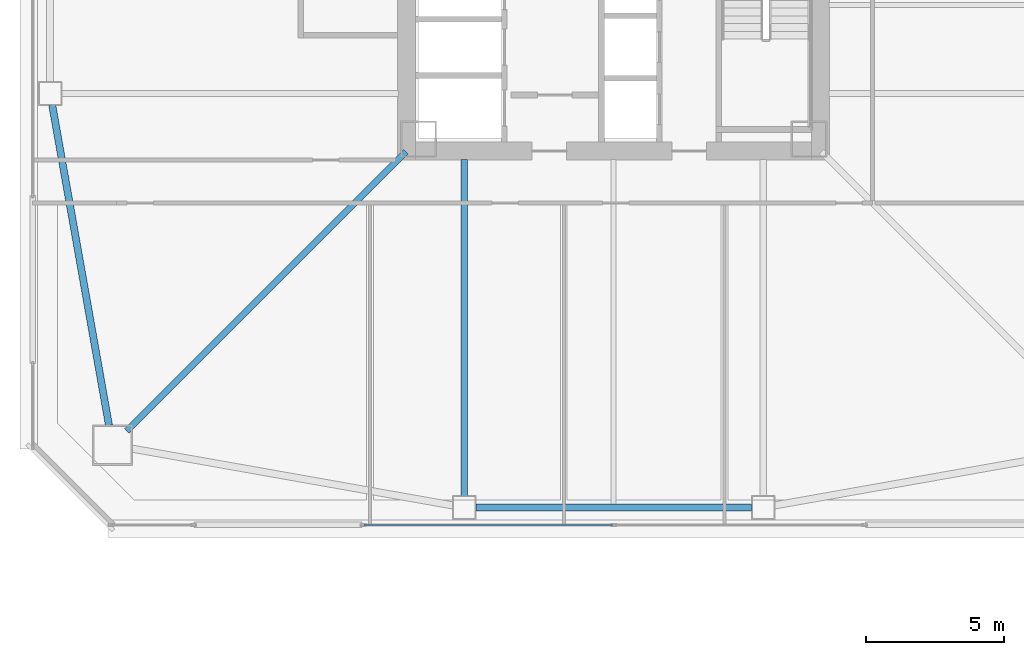
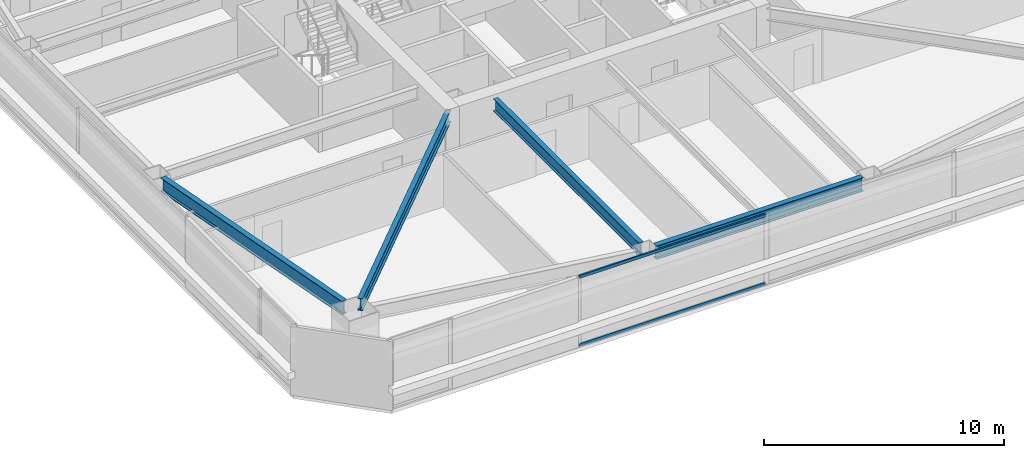
# One storey, part 4 of 47: 4 beams, 2 members, 1 element without a shape of its own.
"""IFC4 building model written with IfcOpenShell, lengths in metres."""

from ifc_helpers import new_model, si_unit, direction, frame, origin, origin_2d, place, context, subcontext, project, spatial, hollow_rectangle, i_section, extrude, material, material_profile, profile_set, type_object, element, aggregate, save


model = new_model("IFC4")

# Units and contexts
model_context = context("Model", 3, precision=1e-05, world=origin(), true_north=direction((0.0, 1.0)))
body_context = subcontext(model_context, "Body", "Model", "MODEL_VIEW")
ifc_project = project(units=[si_unit("LENGTHUNIT", "METRE"), si_unit("AREAUNIT", "SQUARE_METRE"), si_unit("VOLUMEUNIT", "CUBIC_METRE"), si_unit("PLANEANGLEUNIT", "RADIAN"), si_unit("MASSUNIT", "GRAM", prefix="KILO")], contexts=[model_context])

# Site, building, storey
site_placement = place(None, origin())
site = spatial("IfcSite", under=ifc_project, at=site_placement, CompositionType="ELEMENT")
building_placement = place(site_placement, origin())
building = spatial("IfcBuilding", under=site, at=building_placement, Name="Tashvorn Skyway Center", CompositionType="ELEMENT")
storey_placement = place(building_placement, frame((0.0, 0.0, 81.39990234375)))
storey = spatial("IfcBuildingStorey", under=building, at=storey_placement, Name="L21", CompositionType="ELEMENT", Elevation=81.39990234375)

# Beams
ifc_material_1 = material(Name="Steel ASTM A992 Grade 50", Category="steel")
ifc_material_profile_1 = material_profile(ifc_material_1, i_section(OverallWidth=0.22998046875, OverallDepth=0.616943359375, WebThickness=0.01318359375, FlangeThickness=0.022216796875, at=origin_2d()), Name="W24X94")
ifc_profile_set_1 = profile_set([ifc_material_profile_1], Name="Steel ASTM A992 Grade 50")
beam_type_1 = type_object("IfcBeamType", Name="BM-BEAM-W24X94", PredefinedType="BEAM", material=ifc_profile_set_1)
beam_1_placement = place(storey_placement, frame((24.4091796875, 14.4091796875, 3.04150390625), z_axis=(0.707106781187, 0.707106781187, 0.0), x_axis=(-0.707106781187, 0.707106781187, 0.0)))
element("IfcBeam", 1, at=beam_1_placement, inside=storey, type_object=beam_type_1, Name="Tower 1 L21 Primary Floor Girder MC-SW", PredefinedType="BEAM", context=body_context, shape_type="SweptSolid", body=[
    extrude(i_section(OverallWidth=0.22998046875, OverallDepth=0.616943359375, WebThickness=0.01318359375, FlangeThickness=0.022216796875, at=origin_2d()), origin(), (0.0, 0.0, 1.0), 14.261962890625),
])
beam_2_placement = place(storey_placement, frame((36.60009765625, 12.070068359375, 3.04150390625), z_axis=(0.0, 1.0, 0.0), x_axis=(-1.0, 0.0, 0.0)))
element("IfcBeam", 2, at=beam_2_placement, inside=storey, type_object=beam_type_1, Name="Tower 1 L21 Primary Floor Girder FC-S1", PredefinedType="BEAM", context=body_context, shape_type="SweptSolid", body=[
    extrude(i_section(OverallWidth=0.22998046875, OverallDepth=0.616943359375, WebThickness=0.01318359375, FlangeThickness=0.022216796875, at=origin_2d()), origin(), (0.0, 0.0, 1.0), 12.14990234375),
])
ifc_material_profile_2 = material_profile(ifc_material_1, i_section(OverallWidth=0.256103515625, OverallDepth=0.693115234375, WebThickness=0.014404296875, FlangeThickness=0.023681640625, at=origin_2d()), Name="W27X114")
ifc_profile_set_2 = profile_set([ifc_material_profile_2], Name="Steel ASTM A992 Grade 50")
beam_type_2 = type_object("IfcBeamType", Name="BM-SPANDREL-W27X114", PredefinedType="SPANDREL", material=ifc_profile_set_2)
beam_3_placement = place(storey_placement, frame((37.02001953125, 11.64990234375, 3.003662109375), z_axis=(1.0, 0.0, 0.0), x_axis=(0.0, 1.0, 0.0)))
element("IfcBeam", 3, at=beam_3_placement, inside=storey, type_object=beam_type_2, Name="Tower 1 L21 Spandrel Beam 02", PredefinedType="SPANDREL", context=body_context, shape_type="SweptSolid", body=[
    extrude(i_section(OverallWidth=0.256103515625, OverallDepth=0.693115234375, WebThickness=0.014404296875, FlangeThickness=0.023681640625, at=origin_2d()), origin(), (0.0, 0.0, 1.0), 9.9599609375),
])
beam_4_placement = place(storey_placement, frame((21.723388671875, 26.1865234375, 3.003662109375), z_axis=(0.174437966698, -0.98466816531, 0.0), x_axis=(0.98466816531, 0.174437966698, 0.0)))
element("IfcBeam", 4, at=beam_4_placement, inside=storey, type_object=beam_type_2, Name="Tower 1 L21 Spandrel Beam 12", PredefinedType="SPANDREL", context=body_context, shape_type="SweptSolid", body=[
    extrude(i_section(OverallWidth=0.256103515625, OverallDepth=0.693115234375, WebThickness=0.014404296875, FlangeThickness=0.023681640625, at=origin_2d()), origin(), (0.0, 0.0, 1.0), 11.7578125),
])

# Curtain wall, members
ifc_material_2 = material(Name="Thermally broken bronze-anodized aluminium 6063-T6", Category="aluminium")
curtain_wall_type = type_object("IfcCurtainWallType", Name="CW-CW-Z2", PredefinedType="NOTDEFINED", material=ifc_material_2)
curtain_wall_placement = place(storey_placement, origin())
curtain_wall = element("IfcCurtainWall", 5, at=curtain_wall_placement, inside=storey, type_object=curtain_wall_type, Name="Tower 1 L21 South Unitised Curtain Wall Glazing Group 2", PredefinedType="NOTDEFINED")
ifc_material_profile_3 = material_profile(ifc_material_2, hollow_rectangle(XDim=0.080078125, YDim=0.14990234375, WallThickness=0.00439453125, at=origin_2d()), Name="ALU-TRAN-80x150")
ifc_profile_set_3 = profile_set([ifc_material_profile_3], Name="Thermally broken bronze-anodized aluminium 6063-T6")
member_type = type_object("IfcMemberType", Name="CWT-CW-Z2", PredefinedType="USERDEFINED", material=ifc_profile_set_3)
member_1_placement = place(storey_placement, frame((41.9599609375, 11.02001953125, 0.0400390625), z_axis=(-1.0, 0.0, 0.0), x_axis=(0.0, -1.0, 0.0)))
member_1 = element("IfcMember", 6, at=member_1_placement, type_object=member_type, Name="CW-Z2 transom 2.1", ObjectType="TRANSOM", PredefinedType="USERDEFINED", context=body_context, shape_type="SweptSolid", body=[
    extrude(hollow_rectangle(XDim=0.080078125, YDim=0.14990234375, WallThickness=0.00439453125, at=origin_2d()), origin(), (0.0, 0.0, 1.0), 8.969970703125),
])
member_2_placement = place(storey_placement, frame((41.9599609375, 11.02001953125, 3.510009765625), z_axis=(-1.0, 0.0, 0.0), x_axis=(0.0, -1.0, 0.0)))
member_2 = element("IfcMember", 7, at=member_2_placement, type_object=member_type, Name="CW-Z2 transom 2.2", ObjectType="TRANSOM", PredefinedType="USERDEFINED", context=body_context, shape_type="SweptSolid", body=[
    extrude(hollow_rectangle(XDim=0.080078125, YDim=0.14990234375, WallThickness=0.00439453125, at=origin_2d()), origin(), (0.0, 0.0, 1.0), 8.969970703125),
])
aggregate(curtain_wall, [member_1, member_2])

save(model, "model.ifc")
